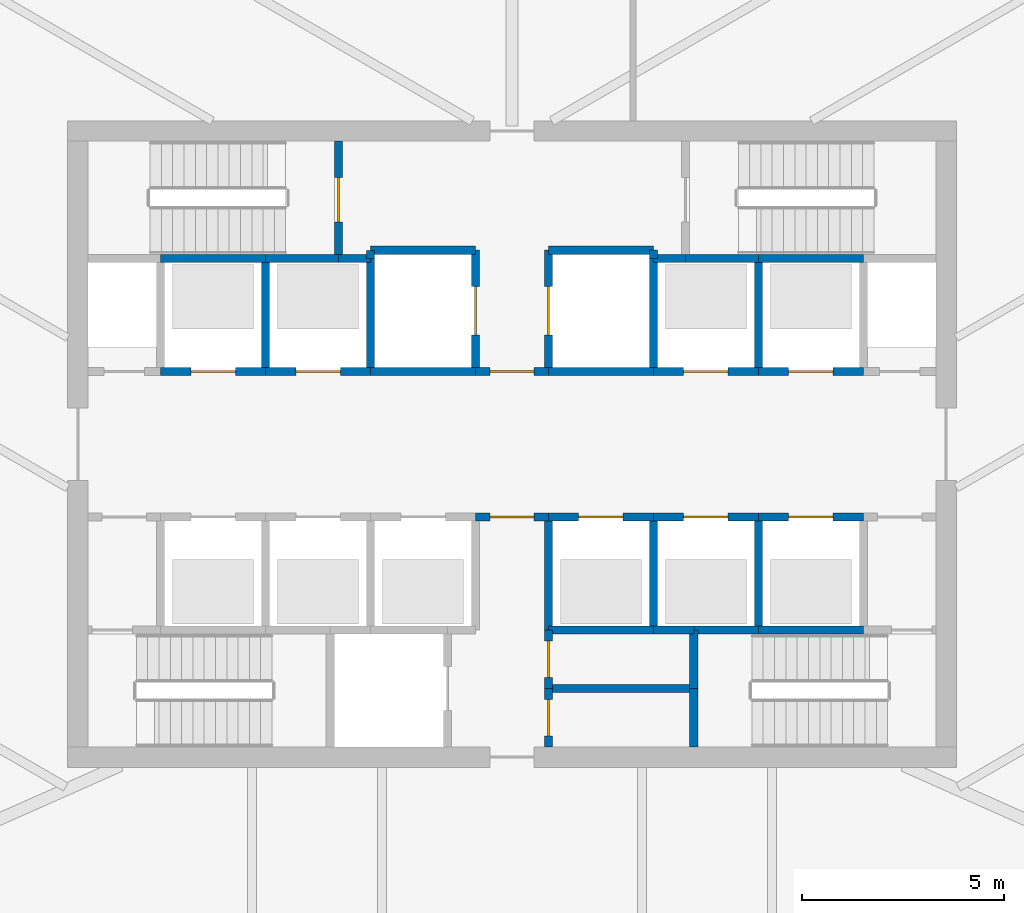
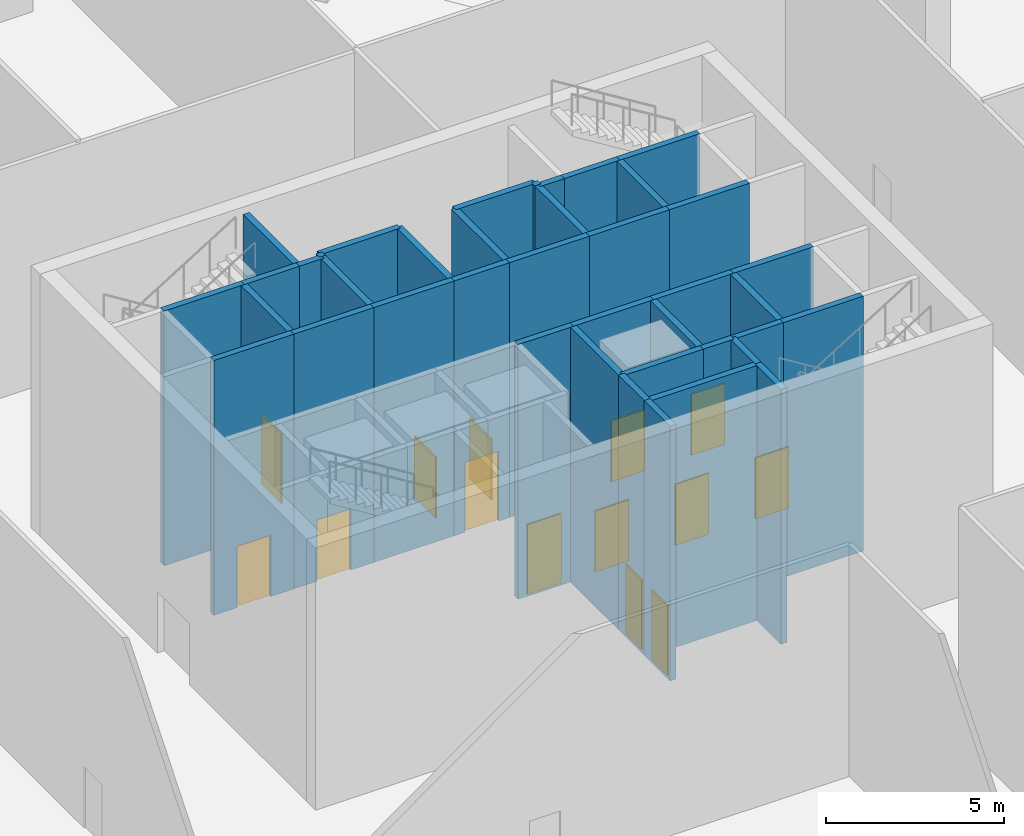
# One storey, part 12 of 29: 40 walls, 14 doors, 14 openings.
"""IFC4 building model written with IfcOpenShell, lengths in metres."""

from ifc_helpers import new_model, si_unit, direction, frame, frame_2d, origin, place, context, subcontext, project, spatial, rectangle, extrude, material, layer, layer_set, type_object, element, fill, save


model = new_model("IFC4")

# Units and contexts
model_context = context("Model", 3, precision=1e-05, world=origin(), true_north=direction((0.0, 1.0)))
body_context = subcontext(model_context, "Body", "Model", "MODEL_VIEW")
ifc_project = project(units=[si_unit("LENGTHUNIT", "METRE"), si_unit("AREAUNIT", "SQUARE_METRE"), si_unit("VOLUMEUNIT", "CUBIC_METRE"), si_unit("PLANEANGLEUNIT", "RADIAN"), si_unit("MASSUNIT", "GRAM", prefix="KILO")], contexts=[model_context])

# Site, building, storey
site_placement = place(None, origin())
site = spatial("IfcSite", under=ifc_project, at=site_placement, CompositionType="ELEMENT")
building_placement = place(site_placement, origin())
building = spatial("IfcBuilding", under=site, at=building_placement, Name="Sierra Prisma Convention Tower", CompositionType="ELEMENT")
storey_placement = place(building_placement, origin())
storey = spatial("IfcBuildingStorey", under=building, at=storey_placement, Name="L00", CompositionType="ELEMENT", Elevation=0.0)

# Wall, opening, door
ifc_material_1 = material(Name="Concrete C30/37", Category="concrete")
ifc_layer = layer(ifc_material_1, 0.199951171875)
ifc_layer_set = layer_set([ifc_layer], Name="Core wall RC 200 C30/37")
wall_type = type_object("IfcWallType", Name="Core wall RC 200 C30/37", PredefinedType="SOLIDWALL", material=ifc_layer_set)
wall_1_placement = place(storey_placement, frame((-6.10009765625, 1.800048828125, 0.0), z_axis=(0.0, 0.0, 1.0), x_axis=(-1.0, 0.0, 0.0)))
wall_1 = element("IfcWall", 1, at=wall_1_placement, inside=storey, type_object=wall_type, Name="Core wall L00 8", PredefinedType="SOLIDWALL", context=body_context, shape_type="SweptSolid", body=[
    extrude(rectangle(XDim=2.599853515625, YDim=0.199951171875, at=frame_2d((1.2998046875, 0.0))), origin(), (0.0, 0.0, 1.0), 8.75),
])
opening_1_placement = place(wall_1_placement, frame((0.75, 0.0, 0.0)))
opening_1 = element("IfcOpeningElement", 2, at=opening_1_placement, cuts=wall_1, Name="Opening L00-D007", PredefinedType="OPENING", context=body_context, shape_type="SweptSolid", body=[
    extrude(rectangle(XDim=1.10009765625, YDim=2.10009765625, at=frame_2d((0.550048828125, 1.050048828125))), frame((0.0, 0.10009765625, 0.0), z_axis=(0.0, -1.0, 0.0), x_axis=(1.0, 0.0, 0.0)), (0.0, 0.0, 1.0), 0.199951171875),
])
ifc_material_2 = material(Name="Steel fire door leaf", Category="steel")
door_type_1 = type_object("IfcDoorType", Name="Door 1100x2100 EI 90 sliding lift landing", OperationType="SLIDING_TO_LEFT", PredefinedType="DOOR", material=ifc_material_2)
door_1_placement = place(opening_1_placement, origin())
door_1 = element("IfcDoor", 3, at=door_1_placement, inside=storey, type_object=door_type_1, Name="Door L00 19", OperationType="SLIDING_TO_LEFT", OverallHeight=2.10009765625, OverallWidth=1.10009765625, PredefinedType="DOOR", context=body_context, shape_type="SweptSolid", body=[
    extrude(rectangle(XDim=1.10009765625, YDim=2.10009765625, at=frame_2d((0.550048828125, 1.050048828125))), frame((0.0, 0.02490234375, 0.0), z_axis=(0.0, -1.0, 0.0), x_axis=(1.0, 0.0, 0.0)), (0.0, 0.0, 1.0), 0.050048828125),
])
fill(opening_1, door_1)

# Wall
wall_2_placement = place(storey_placement, frame((-6.10009765625, 4.60009765625, 0.0), z_axis=(0.0, 0.0, 1.0), x_axis=(-1.0, 0.0, 0.0)))
element("IfcWall", 4, at=wall_2_placement, inside=storey, type_object=wall_type, Name="Core wall L00 10", PredefinedType="SOLIDWALL", context=body_context, shape_type="SweptSolid", body=[
    extrude(rectangle(XDim=2.599853515625, YDim=0.199951171875, at=frame_2d((1.2998046875, 0.0))), origin(), (0.0, 0.0, 1.0), 8.75),
])

# Wall, opening, door
wall_3_placement = place(storey_placement, frame((-3.5, 1.800048828125, 0.0), z_axis=(0.0, 0.0, 1.0), x_axis=(-1.0, 0.0, 0.0)))
wall_3 = element("IfcWall", 5, at=wall_3_placement, inside=storey, type_object=wall_type, Name="Core wall L00 14", PredefinedType="SOLIDWALL", context=body_context, shape_type="SweptSolid", body=[
    extrude(rectangle(XDim=2.60009765625, YDim=0.199951171875, at=frame_2d((1.300048828125, 0.0))), origin(), (0.0, 0.0, 1.0), 8.75),
])
opening_2_placement = place(wall_3_placement, frame((0.75, 0.0, 0.0)))
opening_2 = element("IfcOpeningElement", 6, at=opening_2_placement, cuts=wall_3, Name="Opening L00-D008", PredefinedType="OPENING", context=body_context, shape_type="SweptSolid", body=[
    extrude(rectangle(XDim=1.10009765625, YDim=2.10009765625, at=frame_2d((0.550048828125, 1.050048828125))), frame((0.0, 0.10009765625, 0.0), z_axis=(0.0, -1.0, 0.0), x_axis=(1.0, 0.0, 0.0)), (0.0, 0.0, 1.0), 0.199951171875),
])
door_2_placement = place(opening_2_placement, origin())
door_2 = element("IfcDoor", 7, at=door_2_placement, inside=storey, type_object=door_type_1, Name="Door L00 20", OperationType="SLIDING_TO_RIGHT", OverallHeight=2.10009765625, OverallWidth=1.10009765625, PredefinedType="DOOR", context=body_context, shape_type="SweptSolid", body=[
    extrude(rectangle(XDim=1.10009765625, YDim=2.10009765625, at=frame_2d((0.550048828125, 1.050048828125))), frame((0.0, 0.02490234375, 0.0), z_axis=(0.0, -1.0, 0.0), x_axis=(1.0, 0.0, 0.0)), (0.0, 0.0, 1.0), 0.050048828125),
])
fill(opening_2, door_2)

# Walls
wall_4_placement = place(storey_placement, frame((-6.10009765625, 1.800048828125, 0.0), z_axis=(0.0, 0.0, 1.0), x_axis=(0.0, 1.0, 0.0)))
element("IfcWall", 8, at=wall_4_placement, inside=storey, type_object=wall_type, Name="Core wall L00 15", PredefinedType="SOLIDWALL", context=body_context, shape_type="SweptSolid", body=[
    extrude(rectangle(XDim=2.800048828125, YDim=0.199951171875, at=frame_2d((1.39990234375, 0.0))), origin(), (0.0, 0.0, 1.0), 8.75),
])
wall_5_placement = place(storey_placement, frame((-4.300048828125, 4.60009765625, 0.0), z_axis=(0.0, 0.0, 1.0), x_axis=(-1.0, 0.0, 0.0)))
element("IfcWall", 9, at=wall_5_placement, inside=storey, type_object=wall_type, Name="Core wall L00 16", PredefinedType="SOLIDWALL", context=body_context, shape_type="SweptSolid", body=[
    extrude(rectangle(XDim=1.800048828125, YDim=0.199951171875, at=frame_2d((0.89990234375, 0.0))), origin(), (0.0, 0.0, 1.0), 8.75),
])
wall_6_placement = place(storey_placement, frame((-3.5, 4.60009765625, 0.0), z_axis=(0.0, 0.0, 1.0), x_axis=(-1.0, 0.0, 0.0)))
element("IfcWall", 10, at=wall_6_placement, inside=storey, type_object=wall_type, Name="Core wall L00 19", PredefinedType="SOLIDWALL", context=body_context, shape_type="SweptSolid", body=[
    extrude(rectangle(XDim=0.800048828125, YDim=0.199951171875, at=frame_2d((0.39990234375, 0.0))), origin(), (0.0, 0.0, 1.0), 8.75),
])

# Wall, opening, door
wall_7_placement = place(storey_placement, frame((-4.300048828125, 4.60009765625, 0.0), z_axis=(0.0, 0.0, 1.0), x_axis=(0.0, 1.0, 0.0)))
wall_7 = element("IfcWall", 11, at=wall_7_placement, inside=storey, type_object=wall_type, Name="Core wall L00 20", PredefinedType="SOLIDWALL", context=body_context, shape_type="SweptSolid", body=[
    extrude(rectangle(XDim=2.89990234375, YDim=0.199951171875, at=frame_2d((1.449951171875, 0.0))), origin(), (0.0, 0.0, 1.0), 8.75),
])
opening_3_placement = place(wall_7_placement, frame((0.89990234375, 0.0, 0.0)))
opening_3 = element("IfcOpeningElement", 12, at=opening_3_placement, cuts=wall_7, Name="Opening L00-D022", PredefinedType="OPENING", context=body_context, shape_type="SweptSolid", body=[
    extrude(rectangle(XDim=1.10009765625, YDim=2.39990234375, at=frame_2d((0.550048828125, 1.199951171875))), frame((0.0, 0.10009765625, 0.0), z_axis=(0.0, -1.0, 0.0), x_axis=(1.0, 0.0, 0.0)), (0.0, 0.0, 1.0), 0.199951171875),
])
ifc_material_3 = material(Name="Steel fire door leaf", Category="steel")
door_type_2 = type_object("IfcDoorType", Name="Door 1100x2400 FD90S", OperationType="SINGLE_SWING_LEFT", PredefinedType="DOOR", material=ifc_material_3)
door_3_placement = place(opening_3_placement, origin())
door_3 = element("IfcDoor", 13, at=door_3_placement, inside=storey, type_object=door_type_2, Name="Door L00 34", OperationType="SINGLE_SWING_LEFT", OverallHeight=2.39990234375, OverallWidth=1.10009765625, PredefinedType="DOOR", context=body_context, shape_type="SweptSolid", body=[
    extrude(rectangle(XDim=1.10009765625, YDim=2.39990234375, at=frame_2d((0.550048828125, 1.199951171875))), frame((0.0, 0.02490234375, 0.0), z_axis=(0.0, -1.0, 0.0), x_axis=(1.0, 0.0, 0.0)), (0.0, 0.0, 1.0), 0.050048828125),
])
fill(opening_3, door_3)

# Walls
wall_8_placement = place(storey_placement, frame((-0.89990234375, 1.800048828125, 0.0), z_axis=(0.0, 0.0, 1.0), x_axis=(-1.0, 0.0, 0.0)))
element("IfcWall", 14, at=wall_8_placement, inside=storey, type_object=wall_type, Name="Core wall L00 24", PredefinedType="SOLIDWALL", context=body_context, shape_type="SweptSolid", body=[
    extrude(rectangle(XDim=2.60009765625, YDim=0.199951171875, at=frame_2d((1.300048828125, 0.0))), origin(), (0.0, 0.0, 1.0), 8.75),
])
wall_9_placement = place(storey_placement, frame((-3.5, 4.60009765625, 0.0), z_axis=(0.0, 0.0, 1.0), x_axis=(0.0, -1.0, 0.0)))
element("IfcWall", 15, at=wall_9_placement, inside=storey, type_object=wall_type, Name="Core wall L00 25", PredefinedType="SOLIDWALL", context=body_context, shape_type="SweptSolid", body=[
    extrude(rectangle(XDim=2.800048828125, YDim=0.199951171875, at=frame_2d((1.39990234375, 0.0))), origin(), (0.0, 0.0, 1.0), 8.75),
])

# Wall, opening, door
wall_10_placement = place(storey_placement, frame((-0.89990234375, 1.800048828125, 0.0), z_axis=(0.0, 0.0, 1.0), x_axis=(0.0, 1.0, 0.0)))
wall_10 = element("IfcWall", 16, at=wall_10_placement, inside=storey, type_object=wall_type, Name="Core wall L00 26", PredefinedType="SOLIDWALL", context=body_context, shape_type="SweptSolid", body=[
    extrude(rectangle(XDim=3.0, YDim=0.199951171875, at=frame_2d((1.5, 0.0))), origin(), (0.0, 0.0, 1.0), 8.75),
])
opening_4_placement = place(wall_10_placement, frame((0.89990234375, 0.0, 0.0)))
opening_4 = element("IfcOpeningElement", 17, at=opening_4_placement, cuts=wall_10, Name="Opening L00-D011", PredefinedType="OPENING", context=body_context, shape_type="SweptSolid", body=[
    extrude(rectangle(XDim=1.199951171875, YDim=2.10009765625, at=frame_2d((0.60009765625, 1.050048828125))), frame((0.0, 0.10009765625, 0.0), z_axis=(0.0, -1.0, 0.0), x_axis=(1.0, 0.0, 0.0)), (0.0, 0.0, 1.0), 0.199951171875),
])
ifc_material_4 = material(Name="Steel fire door leaf", Category="steel")
door_type_3 = type_object("IfcDoorType", Name="Door 1200x2100 EI 90 sliding lift landing", OperationType="SLIDING_TO_LEFT", PredefinedType="DOOR", material=ifc_material_4)
door_4_placement = place(opening_4_placement, origin())
door_4 = element("IfcDoor", 18, at=door_4_placement, inside=storey, type_object=door_type_3, Name="Door L00 23", OperationType="SLIDING_TO_RIGHT", OverallHeight=2.10009765625, OverallWidth=1.199951171875, PredefinedType="DOOR", context=body_context, shape_type="SweptSolid", body=[
    extrude(rectangle(XDim=1.199951171875, YDim=2.10009765625, at=frame_2d((0.60009765625, 1.050048828125))), frame((0.0, 0.02490234375, 0.0), z_axis=(0.0, -1.0, 0.0), x_axis=(1.0, 0.0, 0.0)), (0.0, 0.0, 1.0), 0.050048828125),
])
fill(opening_4, door_4)

# Walls
wall_11_placement = place(storey_placement, frame((-0.89990234375, 4.800048828125, 0.0), z_axis=(0.0, 0.0, 1.0), x_axis=(-1.0, 0.0, 0.0)))
element("IfcWall", 19, at=wall_11_placement, inside=storey, type_object=wall_type, Name="Core wall L00 27", PredefinedType="SOLIDWALL", context=body_context, shape_type="SweptSolid", body=[
    extrude(rectangle(XDim=2.60009765625, YDim=0.199951171875, at=frame_2d((1.300048828125, 0.0))), origin(), (0.0, 0.0, 1.0), 8.75),
])
wall_12_placement = place(storey_placement, frame((-3.5, 4.800048828125, 0.0), z_axis=(0.0, 0.0, 1.0), x_axis=(0.0, -1.0, 0.0)))
element("IfcWall", 20, at=wall_12_placement, inside=storey, type_object=wall_type, Name="Core wall L00 28", PredefinedType="SOLIDWALL", context=body_context, shape_type="SweptSolid", body=[
    extrude(rectangle(XDim=0.199951171875, YDim=0.199951171875, at=frame_2d((0.10009765625, 0.0))), origin(), (0.0, 0.0, 1.0), 8.75),
])

# Wall, opening, door
wall_13_placement = place(storey_placement, frame((-0.89990234375, -1.800048828125, 0.0), z_axis=(0.0, 0.0, 1.0), x_axis=(1.0, 0.0, 0.0)))
wall_13 = element("IfcWall", 21, at=wall_13_placement, inside=storey, type_object=wall_type, Name="Core wall L00 32", PredefinedType="SOLIDWALL", context=body_context, shape_type="SweptSolid", body=[
    extrude(rectangle(XDim=1.7998046875, YDim=0.199951171875, at=frame_2d((0.89990234375, 0.0))), origin(), (0.0, 0.0, 1.0), 8.75),
])
opening_5_placement = place(wall_13_placement, frame((0.35009765625, 0.0, 0.0)))
opening_5 = element("IfcOpeningElement", 22, at=opening_5_placement, cuts=wall_13, Name="Opening L00-D017", PredefinedType="OPENING", context=body_context, shape_type="SweptSolid", body=[
    extrude(rectangle(XDim=1.10009765625, YDim=2.39990234375, at=frame_2d((0.550048828125, 1.199951171875))), frame((0.0, 0.10009765625, 0.0), z_axis=(0.0, -1.0, 0.0), x_axis=(1.0, 0.0, 0.0)), (0.0, 0.0, 1.0), 0.199951171875),
])
ifc_material_5 = material(Name="Steel fire door leaf", Category="steel")
door_type_4 = type_object("IfcDoorType", Name="Door 1100x2400 FD30S", OperationType="SINGLE_SWING_LEFT", PredefinedType="DOOR", material=ifc_material_5)
door_5_placement = place(opening_5_placement, origin())
door_5 = element("IfcDoor", 23, at=door_5_placement, inside=storey, type_object=door_type_4, Name="Door L00 29", OperationType="SINGLE_SWING_LEFT", OverallHeight=2.39990234375, OverallWidth=1.10009765625, PredefinedType="DOOR", context=body_context, shape_type="SweptSolid", body=[
    extrude(rectangle(XDim=1.10009765625, YDim=2.39990234375, at=frame_2d((0.550048828125, 1.199951171875))), frame((0.0, 0.02490234375, 0.0), z_axis=(0.0, -1.0, 0.0), x_axis=(1.0, 0.0, 0.0)), (0.0, 0.0, 1.0), 0.050048828125),
])
fill(opening_5, door_5)

wall_14_placement = place(storey_placement, frame((0.89990234375, 1.800048828125, 0.0), z_axis=(0.0, 0.0, 1.0), x_axis=(-1.0, 0.0, 0.0)))
wall_14 = element("IfcWall", 24, at=wall_14_placement, inside=storey, type_object=wall_type, Name="Core wall L00 33", PredefinedType="SOLIDWALL", context=body_context, shape_type="SweptSolid", body=[
    extrude(rectangle(XDim=1.7998046875, YDim=0.199951171875, at=frame_2d((0.89990234375, 0.0))), origin(), (0.0, 0.0, 1.0), 8.75),
])
opening_6_placement = place(wall_14_placement, frame((0.35009765625, 0.0, 0.0)))
opening_6 = element("IfcOpeningElement", 25, at=opening_6_placement, cuts=wall_14, Name="Opening L00-D016", PredefinedType="OPENING", context=body_context, shape_type="SweptSolid", body=[
    extrude(rectangle(XDim=1.10009765625, YDim=2.39990234375, at=frame_2d((0.550048828125, 1.199951171875))), frame((0.0, 0.10009765625, 0.0), z_axis=(0.0, -1.0, 0.0), x_axis=(1.0, 0.0, 0.0)), (0.0, 0.0, 1.0), 0.199951171875),
])
ifc_material_6 = material(Name="Steel fire door leaf", Category="steel")
door_type_5 = type_object("IfcDoorType", Name="Door 1100x2400 FD60S", OperationType="SINGLE_SWING_LEFT", PredefinedType="DOOR", material=ifc_material_6)
door_6_placement = place(opening_6_placement, origin())
door_6 = element("IfcDoor", 26, at=door_6_placement, inside=storey, type_object=door_type_5, Name="Door L00 28", OperationType="SINGLE_SWING_RIGHT", OverallHeight=2.39990234375, OverallWidth=1.10009765625, PredefinedType="DOOR", context=body_context, shape_type="SweptSolid", body=[
    extrude(rectangle(XDim=1.10009765625, YDim=2.39990234375, at=frame_2d((0.550048828125, 1.199951171875))), frame((0.0, 0.02490234375, 0.0), z_axis=(0.0, -1.0, 0.0), x_axis=(1.0, 0.0, 0.0)), (0.0, 0.0, 1.0), 0.050048828125),
])
fill(opening_6, door_6)

wall_15_placement = place(storey_placement, frame((0.89990234375, -6.050048828125, 0.0), z_axis=(0.0, 0.0, 1.0), x_axis=(0.0, -1.0, 0.0)))
wall_15 = element("IfcWall", 27, at=wall_15_placement, inside=storey, type_object=wall_type, Name="Core wall L00 34", PredefinedType="SOLIDWALL", context=body_context, shape_type="SweptSolid", body=[
    extrude(rectangle(XDim=1.449951171875, YDim=0.199951171875, at=frame_2d((0.72509765625, 0.0))), origin(), (0.0, 0.0, 1.0), 8.75),
])
opening_7_placement = place(wall_15_placement, frame((0.27490234375, 0.0, 0.0)))
opening_7 = element("IfcOpeningElement", 28, at=opening_7_placement, cuts=wall_15, Name="Opening L00-D024", PredefinedType="OPENING", context=body_context, shape_type="SweptSolid", body=[
    extrude(rectangle(XDim=0.89990234375, YDim=2.39990234375, at=frame_2d((0.449951171875, 1.199951171875))), frame((0.0, 0.10009765625, 0.0), z_axis=(0.0, -1.0, 0.0), x_axis=(1.0, 0.0, 0.0)), (0.0, 0.0, 1.0), 0.199951171875),
])
ifc_material_7 = material(Name="Steel fire door leaf", Category="steel")
door_type_6 = type_object("IfcDoorType", Name="Door 900x2400 FD30S", OperationType="SINGLE_SWING_LEFT", PredefinedType="DOOR", material=ifc_material_7)
door_7_placement = place(opening_7_placement, origin())
door_7 = element("IfcDoor", 29, at=door_7_placement, inside=storey, type_object=door_type_6, Name="Door L00 36", OperationType="SINGLE_SWING_LEFT", OverallHeight=2.39990234375, OverallWidth=0.89990234375, PredefinedType="DOOR", context=body_context, shape_type="SweptSolid", body=[
    extrude(rectangle(XDim=0.89990234375, YDim=2.39990234375, at=frame_2d((0.449951171875, 1.199951171875))), frame((0.0, 0.02490234375, 0.0), z_axis=(0.0, -1.0, 0.0), x_axis=(1.0, 0.0, 0.0)), (0.0, 0.0, 1.0), 0.050048828125),
])
fill(opening_7, door_7)

# Wall
wall_16_placement = place(storey_placement, frame((4.5, -6.050048828125, 0.0), z_axis=(0.0, 0.0, 1.0), x_axis=(-1.0, 0.0, 0.0)))
element("IfcWall", 30, at=wall_16_placement, inside=storey, type_object=wall_type, Name="Core wall L00 35", PredefinedType="SOLIDWALL", context=body_context, shape_type="SweptSolid", body=[
    extrude(rectangle(XDim=3.60009765625, YDim=0.199951171875, at=frame_2d((1.800048828125, 0.0))), origin(), (0.0, 0.0, 1.0), 8.75),
])

# Wall, opening, door
wall_17_placement = place(storey_placement, frame((0.89990234375, -4.60009765625, 0.0), z_axis=(0.0, 0.0, 1.0), x_axis=(0.0, -1.0, 0.0)))
wall_17 = element("IfcWall", 31, at=wall_17_placement, inside=storey, type_object=wall_type, Name="Core wall L00 36", PredefinedType="SOLIDWALL", context=body_context, shape_type="SweptSolid", body=[
    extrude(rectangle(XDim=1.449951171875, YDim=0.199951171875, at=frame_2d((0.72509765625, 0.0))), origin(), (0.0, 0.0, 1.0), 8.75),
])
opening_8_placement = place(wall_17_placement, frame((0.27490234375, 0.0, 0.0)))
opening_8 = element("IfcOpeningElement", 32, at=opening_8_placement, cuts=wall_17, Name="Opening L00-D025", PredefinedType="OPENING", context=body_context, shape_type="SweptSolid", body=[
    extrude(rectangle(XDim=0.89990234375, YDim=2.39990234375, at=frame_2d((0.449951171875, 1.199951171875))), frame((0.0, 0.10009765625, 0.0), z_axis=(0.0, -1.0, 0.0), x_axis=(1.0, 0.0, 0.0)), (0.0, 0.0, 1.0), 0.199951171875),
])
door_8_placement = place(opening_8_placement, origin())
door_8 = element("IfcDoor", 33, at=door_8_placement, inside=storey, type_object=door_type_6, Name="Door L00 37", OperationType="SINGLE_SWING_LEFT", OverallHeight=2.39990234375, OverallWidth=0.89990234375, PredefinedType="DOOR", context=body_context, shape_type="SweptSolid", body=[
    extrude(rectangle(XDim=0.89990234375, YDim=2.39990234375, at=frame_2d((0.449951171875, 1.199951171875))), frame((0.0, 0.02490234375, 0.0), z_axis=(0.0, -1.0, 0.0), x_axis=(1.0, 0.0, 0.0)), (0.0, 0.0, 1.0), 0.050048828125),
])
fill(opening_8, door_8)

# Walls
wall_18_placement = place(storey_placement, frame((3.5, -4.60009765625, 0.0), z_axis=(0.0, 0.0, 1.0), x_axis=(-1.0, 0.0, 0.0)))
element("IfcWall", 34, at=wall_18_placement, inside=storey, type_object=wall_type, Name="Core wall L00 37", PredefinedType="SOLIDWALL", context=body_context, shape_type="SweptSolid", body=[
    extrude(rectangle(XDim=2.60009765625, YDim=0.199951171875, at=frame_2d((1.300048828125, 0.0))), origin(), (0.0, 0.0, 1.0), 8.75),
])
wall_19_placement = place(storey_placement, frame((0.89990234375, -1.800048828125, 0.0), z_axis=(0.0, 0.0, 1.0), x_axis=(0.0, -1.0, 0.0)))
element("IfcWall", 35, at=wall_19_placement, inside=storey, type_object=wall_type, Name="Core wall L00 38", PredefinedType="SOLIDWALL", context=body_context, shape_type="SweptSolid", body=[
    extrude(rectangle(XDim=2.800048828125, YDim=0.199951171875, at=frame_2d((1.39990234375, 0.0))), origin(), (0.0, 0.0, 1.0), 8.75),
])

# Wall, opening, door
wall_20_placement = place(storey_placement, frame((0.89990234375, -1.800048828125, 0.0), z_axis=(0.0, 0.0, 1.0), x_axis=(1.0, 0.0, 0.0)))
wall_20 = element("IfcWall", 36, at=wall_20_placement, inside=storey, type_object=wall_type, Name="Core wall L00 39", PredefinedType="SOLIDWALL", context=body_context, shape_type="SweptSolid", body=[
    extrude(rectangle(XDim=2.60009765625, YDim=0.199951171875, at=frame_2d((1.300048828125, 0.0))), origin(), (0.0, 0.0, 1.0), 8.75),
])
opening_9_placement = place(wall_20_placement, frame((0.75, 0.0, 0.0)))
opening_9 = element("IfcOpeningElement", 37, at=opening_9_placement, cuts=wall_20, Name="Opening L00-D004", PredefinedType="OPENING", context=body_context, shape_type="SweptSolid", body=[
    extrude(rectangle(XDim=1.10009765625, YDim=2.10009765625, at=frame_2d((0.550048828125, 1.050048828125))), frame((0.0, 0.10009765625, 0.0), z_axis=(0.0, -1.0, 0.0), x_axis=(1.0, 0.0, 0.0)), (0.0, 0.0, 1.0), 0.199951171875),
])
door_9_placement = place(opening_9_placement, origin())
door_9 = element("IfcDoor", 38, at=door_9_placement, inside=storey, type_object=door_type_1, Name="Door L00 16", OperationType="SLIDING_TO_RIGHT", OverallHeight=2.10009765625, OverallWidth=1.10009765625, PredefinedType="DOOR", context=body_context, shape_type="SweptSolid", body=[
    extrude(rectangle(XDim=1.10009765625, YDim=2.10009765625, at=frame_2d((0.550048828125, 1.050048828125))), frame((0.0, 0.02490234375, 0.0), z_axis=(0.0, -1.0, 0.0), x_axis=(1.0, 0.0, 0.0)), (0.0, 0.0, 1.0), 0.050048828125),
])
fill(opening_9, door_9)

# Walls
wall_21_placement = place(storey_placement, frame((3.5, 1.800048828125, 0.0), z_axis=(0.0, 0.0, 1.0), x_axis=(-1.0, 0.0, 0.0)))
element("IfcWall", 39, at=wall_21_placement, inside=storey, type_object=wall_type, Name="Core wall L00 40", PredefinedType="SOLIDWALL", context=body_context, shape_type="SweptSolid", body=[
    extrude(rectangle(XDim=2.60009765625, YDim=0.199951171875, at=frame_2d((1.300048828125, 0.0))), origin(), (0.0, 0.0, 1.0), 8.75),
])
wall_22_placement = place(storey_placement, frame((3.5, 4.60009765625, 0.0), z_axis=(0.0, 0.0, 1.0), x_axis=(0.0, 1.0, 0.0)))
element("IfcWall", 40, at=wall_22_placement, inside=storey, type_object=wall_type, Name="Core wall L00 41", PredefinedType="SOLIDWALL", context=body_context, shape_type="SweptSolid", body=[
    extrude(rectangle(XDim=0.199951171875, YDim=0.199951171875, at=frame_2d((0.10009765625, 0.0))), origin(), (0.0, 0.0, 1.0), 8.75),
])
wall_23_placement = place(storey_placement, frame((3.5, 4.800048828125, 0.0), z_axis=(0.0, 0.0, 1.0), x_axis=(-1.0, 0.0, 0.0)))
element("IfcWall", 41, at=wall_23_placement, inside=storey, type_object=wall_type, Name="Core wall L00 42", PredefinedType="SOLIDWALL", context=body_context, shape_type="SweptSolid", body=[
    extrude(rectangle(XDim=2.60009765625, YDim=0.199951171875, at=frame_2d((1.300048828125, 0.0))), origin(), (0.0, 0.0, 1.0), 8.75),
])

# Wall, opening, door
wall_24_placement = place(storey_placement, frame((0.89990234375, 4.800048828125, 0.0), z_axis=(0.0, 0.0, 1.0), x_axis=(0.0, -1.0, 0.0)))
wall_24 = element("IfcWall", 42, at=wall_24_placement, inside=storey, type_object=wall_type, Name="Core wall L00 43", PredefinedType="SOLIDWALL", context=body_context, shape_type="SweptSolid", body=[
    extrude(rectangle(XDim=3.0, YDim=0.199951171875, at=frame_2d((1.5, 0.0))), origin(), (0.0, 0.0, 1.0), 8.75),
])
opening_10_placement = place(wall_24_placement, frame((0.89990234375, 0.0, 0.0)))
opening_10 = element("IfcOpeningElement", 43, at=opening_10_placement, cuts=wall_24, Name="Opening L00-D012", PredefinedType="OPENING", context=body_context, shape_type="SweptSolid", body=[
    extrude(rectangle(XDim=1.199951171875, YDim=2.10009765625, at=frame_2d((0.60009765625, 1.050048828125))), frame((0.0, 0.10009765625, 0.0), z_axis=(0.0, -1.0, 0.0), x_axis=(1.0, 0.0, 0.0)), (0.0, 0.0, 1.0), 0.199951171875),
])
door_10_placement = place(opening_10_placement, origin())
door_10 = element("IfcDoor", 44, at=door_10_placement, inside=storey, type_object=door_type_3, Name="Door L00 24", OperationType="SLIDING_TO_RIGHT", OverallHeight=2.10009765625, OverallWidth=1.199951171875, PredefinedType="DOOR", context=body_context, shape_type="SweptSolid", body=[
    extrude(rectangle(XDim=1.199951171875, YDim=2.10009765625, at=frame_2d((0.60009765625, 1.050048828125))), frame((0.0, 0.02490234375, 0.0), z_axis=(0.0, -1.0, 0.0), x_axis=(1.0, 0.0, 0.0)), (0.0, 0.0, 1.0), 0.050048828125),
])
fill(opening_10, door_10)

# Walls
wall_25_placement = place(storey_placement, frame((4.5, -4.60009765625, 0.0), z_axis=(0.0, 0.0, 1.0), x_axis=(-1.0, 0.0, 0.0)))
element("IfcWall", 45, at=wall_25_placement, inside=storey, type_object=wall_type, Name="Core wall L00 44", PredefinedType="SOLIDWALL", context=body_context, shape_type="SweptSolid", body=[
    extrude(rectangle(XDim=1.0, YDim=0.199951171875, at=frame_2d((0.5, 0.0))), origin(), (0.0, 0.0, 1.0), 8.75),
])
wall_26_placement = place(storey_placement, frame((3.5, -4.60009765625, 0.0), z_axis=(0.0, 0.0, 1.0), x_axis=(0.0, 1.0, 0.0)))
element("IfcWall", 46, at=wall_26_placement, inside=storey, type_object=wall_type, Name="Core wall L00 45", PredefinedType="SOLIDWALL", context=body_context, shape_type="SweptSolid", body=[
    extrude(rectangle(XDim=2.800048828125, YDim=0.199951171875, at=frame_2d((1.39990234375, 0.0))), origin(), (0.0, 0.0, 1.0), 8.75),
])

# Wall, opening, door
wall_27_placement = place(storey_placement, frame((3.5, -1.800048828125, 0.0), z_axis=(0.0, 0.0, 1.0), x_axis=(1.0, 0.0, 0.0)))
wall_27 = element("IfcWall", 47, at=wall_27_placement, inside=storey, type_object=wall_type, Name="Core wall L00 46", PredefinedType="SOLIDWALL", context=body_context, shape_type="SweptSolid", body=[
    extrude(rectangle(XDim=2.60009765625, YDim=0.199951171875, at=frame_2d((1.300048828125, 0.0))), origin(), (0.0, 0.0, 1.0), 8.75),
])
opening_11_placement = place(wall_27_placement, frame((0.75, 0.0, 0.0)))
opening_11 = element("IfcOpeningElement", 48, at=opening_11_placement, cuts=wall_27, Name="Opening L00-D005", PredefinedType="OPENING", context=body_context, shape_type="SweptSolid", body=[
    extrude(rectangle(XDim=1.10009765625, YDim=2.10009765625, at=frame_2d((0.550048828125, 1.050048828125))), frame((0.0, 0.10009765625, 0.0), z_axis=(0.0, -1.0, 0.0), x_axis=(1.0, 0.0, 0.0)), (0.0, 0.0, 1.0), 0.199951171875),
])
door_11_placement = place(opening_11_placement, origin())
door_11 = element("IfcDoor", 49, at=door_11_placement, inside=storey, type_object=door_type_1, Name="Door L00 17", OperationType="SLIDING_TO_LEFT", OverallHeight=2.10009765625, OverallWidth=1.10009765625, PredefinedType="DOOR", context=body_context, shape_type="SweptSolid", body=[
    extrude(rectangle(XDim=1.10009765625, YDim=2.10009765625, at=frame_2d((0.550048828125, 1.050048828125))), frame((0.0, 0.02490234375, 0.0), z_axis=(0.0, -1.0, 0.0), x_axis=(1.0, 0.0, 0.0)), (0.0, 0.0, 1.0), 0.050048828125),
])
fill(opening_11, door_11)

wall_28_placement = place(storey_placement, frame((6.10009765625, 1.800048828125, 0.0), z_axis=(0.0, 0.0, 1.0), x_axis=(-1.0, 0.0, 0.0)))
wall_28 = element("IfcWall", 50, at=wall_28_placement, inside=storey, type_object=wall_type, Name="Core wall L00 47", PredefinedType="SOLIDWALL", context=body_context, shape_type="SweptSolid", body=[
    extrude(rectangle(XDim=2.60009765625, YDim=0.199951171875, at=frame_2d((1.300048828125, 0.0))), origin(), (0.0, 0.0, 1.0), 8.75),
])
opening_12_placement = place(wall_28_placement, frame((0.75, 0.0, 0.0)))
opening_12 = element("IfcOpeningElement", 51, at=opening_12_placement, cuts=wall_28, Name="Opening L00-D009", PredefinedType="OPENING", context=body_context, shape_type="SweptSolid", body=[
    extrude(rectangle(XDim=1.10009765625, YDim=2.10009765625, at=frame_2d((0.550048828125, 1.050048828125))), frame((0.0, 0.10009765625, 0.0), z_axis=(0.0, -1.0, 0.0), x_axis=(1.0, 0.0, 0.0)), (0.0, 0.0, 1.0), 0.199951171875),
])
door_12_placement = place(opening_12_placement, origin())
door_12 = element("IfcDoor", 52, at=door_12_placement, inside=storey, type_object=door_type_1, Name="Door L00 21", OperationType="SLIDING_TO_LEFT", OverallHeight=2.10009765625, OverallWidth=1.10009765625, PredefinedType="DOOR", context=body_context, shape_type="SweptSolid", body=[
    extrude(rectangle(XDim=1.10009765625, YDim=2.10009765625, at=frame_2d((0.550048828125, 1.050048828125))), frame((0.0, 0.02490234375, 0.0), z_axis=(0.0, -1.0, 0.0), x_axis=(1.0, 0.0, 0.0)), (0.0, 0.0, 1.0), 0.050048828125),
])
fill(opening_12, door_12)

# Walls
wall_29_placement = place(storey_placement, frame((3.5, 1.800048828125, 0.0), z_axis=(0.0, 0.0, 1.0), x_axis=(0.0, 1.0, 0.0)))
element("IfcWall", 53, at=wall_29_placement, inside=storey, type_object=wall_type, Name="Core wall L00 48", PredefinedType="SOLIDWALL", context=body_context, shape_type="SweptSolid", body=[
    extrude(rectangle(XDim=2.800048828125, YDim=0.199951171875, at=frame_2d((1.39990234375, 0.0))), origin(), (0.0, 0.0, 1.0), 8.75),
])
wall_30_placement = place(storey_placement, frame((4.300048828125, 4.60009765625, 0.0), z_axis=(0.0, 0.0, 1.0), x_axis=(-1.0, 0.0, 0.0)))
element("IfcWall", 54, at=wall_30_placement, inside=storey, type_object=wall_type, Name="Core wall L00 49", PredefinedType="SOLIDWALL", context=body_context, shape_type="SweptSolid", body=[
    extrude(rectangle(XDim=0.800048828125, YDim=0.199951171875, at=frame_2d((0.39990234375, 0.0))), origin(), (0.0, 0.0, 1.0), 8.75),
])
wall_31_placement = place(storey_placement, frame((6.10009765625, 4.60009765625, 0.0), z_axis=(0.0, 0.0, 1.0), x_axis=(-1.0, 0.0, 0.0)))
element("IfcWall", 55, at=wall_31_placement, inside=storey, type_object=wall_type, Name="Core wall L00 50", PredefinedType="SOLIDWALL", context=body_context, shape_type="SweptSolid", body=[
    extrude(rectangle(XDim=1.800048828125, YDim=0.199951171875, at=frame_2d((0.89990234375, 0.0))), origin(), (0.0, 0.0, 1.0), 8.75),
])
for number, where, z_axis, x_axis, name in (
    (56, (4.5, -7.5, 0.0), (0.0, 0.0, 1.0), (0.0, 1.0, 0.0), "Core wall L00 52"),
    (57, (4.5, -6.050048828125, 0.0), (0.0, 0.0, 1.0), (0.0, 1.0, 0.0), "Core wall L00 53"),
):
    element("IfcWall", number, at=place(storey_placement, frame(where, z_axis=z_axis, x_axis=x_axis)), inside=storey, type_object=wall_type, Name=name, PredefinedType="SOLIDWALL", context=body_context, shape_type="SweptSolid", body=[
        extrude(rectangle(XDim=1.449951171875, YDim=0.199951171875, at=frame_2d((0.72509765625, 0.0))), origin(), (0.0, 0.0, 1.0), 8.75),
    ])
wall_32_placement = place(storey_placement, frame((4.5, -4.60009765625, 0.0), z_axis=(0.0, 0.0, 1.0), x_axis=(1.0, 0.0, 0.0)))
element("IfcWall", 58, at=wall_32_placement, inside=storey, type_object=wall_type, Name="Core wall L00 54", PredefinedType="SOLIDWALL", context=body_context, shape_type="SweptSolid", body=[
    extrude(rectangle(XDim=1.60009765625, YDim=0.199951171875, at=frame_2d((0.800048828125, 0.0))), origin(), (0.0, 0.0, 1.0), 8.75),
])
wall_33_placement = place(storey_placement, frame((6.10009765625, -4.60009765625, 0.0), z_axis=(0.0, 0.0, 1.0), x_axis=(1.0, 0.0, 0.0)))
element("IfcWall", 59, at=wall_33_placement, inside=storey, type_object=wall_type, Name="Core wall L00 55", PredefinedType="SOLIDWALL", context=body_context, shape_type="SweptSolid", body=[
    extrude(rectangle(XDim=2.599853515625, YDim=0.199951171875, at=frame_2d((1.2998046875, 0.0))), origin(), (0.0, 0.0, 1.0), 8.75),
])
wall_34_placement = place(storey_placement, frame((6.10009765625, -4.60009765625, 0.0), z_axis=(0.0, 0.0, 1.0), x_axis=(0.0, 1.0, 0.0)))
element("IfcWall", 60, at=wall_34_placement, inside=storey, type_object=wall_type, Name="Core wall L00 56", PredefinedType="SOLIDWALL", context=body_context, shape_type="SweptSolid", body=[
    extrude(rectangle(XDim=2.800048828125, YDim=0.199951171875, at=frame_2d((1.39990234375, 0.0))), origin(), (0.0, 0.0, 1.0), 8.75),
])

# Wall, opening, door
wall_35_placement = place(storey_placement, frame((6.10009765625, -1.800048828125, 0.0), z_axis=(0.0, 0.0, 1.0), x_axis=(1.0, 0.0, 0.0)))
wall_35 = element("IfcWall", 61, at=wall_35_placement, inside=storey, type_object=wall_type, Name="Core wall L00 57", PredefinedType="SOLIDWALL", context=body_context, shape_type="SweptSolid", body=[
    extrude(rectangle(XDim=2.599853515625, YDim=0.199951171875, at=frame_2d((1.2998046875, 0.0))), origin(), (0.0, 0.0, 1.0), 8.75),
])
opening_13_placement = place(wall_35_placement, frame((0.75, 0.0, 0.0)))
opening_13 = element("IfcOpeningElement", 62, at=opening_13_placement, cuts=wall_35, Name="Opening L00-D006", PredefinedType="OPENING", context=body_context, shape_type="SweptSolid", body=[
    extrude(rectangle(XDim=1.10009765625, YDim=2.10009765625, at=frame_2d((0.550048828125, 1.050048828125))), frame((0.0, 0.10009765625, 0.0), z_axis=(0.0, -1.0, 0.0), x_axis=(1.0, 0.0, 0.0)), (0.0, 0.0, 1.0), 0.199951171875),
])
door_13_placement = place(opening_13_placement, origin())
door_13 = element("IfcDoor", 63, at=door_13_placement, inside=storey, type_object=door_type_1, Name="Door L00 18", OperationType="SLIDING_TO_LEFT", OverallHeight=2.10009765625, OverallWidth=1.10009765625, PredefinedType="DOOR", context=body_context, shape_type="SweptSolid", body=[
    extrude(rectangle(XDim=1.10009765625, YDim=2.10009765625, at=frame_2d((0.550048828125, 1.050048828125))), frame((0.0, 0.02490234375, 0.0), z_axis=(0.0, -1.0, 0.0), x_axis=(1.0, 0.0, 0.0)), (0.0, 0.0, 1.0), 0.050048828125),
])
fill(opening_13, door_13)

wall_36_placement = place(storey_placement, frame((8.699951171875, 1.800048828125, 0.0), z_axis=(0.0, 0.0, 1.0), x_axis=(-1.0, 0.0, 0.0)))
wall_36 = element("IfcWall", 64, at=wall_36_placement, inside=storey, type_object=wall_type, Name="Core wall L00 58", PredefinedType="SOLIDWALL", context=body_context, shape_type="SweptSolid", body=[
    extrude(rectangle(XDim=2.599853515625, YDim=0.199951171875, at=frame_2d((1.2998046875, 0.0))), origin(), (0.0, 0.0, 1.0), 8.75),
])
opening_14_placement = place(wall_36_placement, frame((0.75, 0.0, 0.0)))
opening_14 = element("IfcOpeningElement", 65, at=opening_14_placement, cuts=wall_36, Name="Opening L00-D010", PredefinedType="OPENING", context=body_context, shape_type="SweptSolid", body=[
    extrude(rectangle(XDim=1.10009765625, YDim=2.10009765625, at=frame_2d((0.550048828125, 1.050048828125))), frame((0.0, 0.10009765625, 0.0), z_axis=(0.0, -1.0, 0.0), x_axis=(1.0, 0.0, 0.0)), (0.0, 0.0, 1.0), 0.199951171875),
])
door_14_placement = place(opening_14_placement, origin())
door_14 = element("IfcDoor", 66, at=door_14_placement, inside=storey, type_object=door_type_1, Name="Door L00 22", OperationType="SLIDING_TO_RIGHT", OverallHeight=2.10009765625, OverallWidth=1.10009765625, PredefinedType="DOOR", context=body_context, shape_type="SweptSolid", body=[
    extrude(rectangle(XDim=1.10009765625, YDim=2.10009765625, at=frame_2d((0.550048828125, 1.050048828125))), frame((0.0, 0.02490234375, 0.0), z_axis=(0.0, -1.0, 0.0), x_axis=(1.0, 0.0, 0.0)), (0.0, 0.0, 1.0), 0.050048828125),
])
fill(opening_14, door_14)

# Walls
wall_37_placement = place(storey_placement, frame((6.10009765625, 1.800048828125, 0.0), z_axis=(0.0, 0.0, 1.0), x_axis=(0.0, 1.0, 0.0)))
element("IfcWall", 67, at=wall_37_placement, inside=storey, type_object=wall_type, Name="Core wall L00 59", PredefinedType="SOLIDWALL", context=body_context, shape_type="SweptSolid", body=[
    extrude(rectangle(XDim=2.800048828125, YDim=0.199951171875, at=frame_2d((1.39990234375, 0.0))), origin(), (0.0, 0.0, 1.0), 8.75),
])
wall_38_placement = place(storey_placement, frame((8.699951171875, 4.60009765625, 0.0), z_axis=(0.0, 0.0, 1.0), x_axis=(-1.0, 0.0, 0.0)))
element("IfcWall", 68, at=wall_38_placement, inside=storey, type_object=wall_type, Name="Core wall L00 60", PredefinedType="SOLIDWALL", context=body_context, shape_type="SweptSolid", body=[
    extrude(rectangle(XDim=2.599853515625, YDim=0.199951171875, at=frame_2d((1.2998046875, 0.0))), origin(), (0.0, 0.0, 1.0), 8.75),
])

save(model, "model.ifc")
